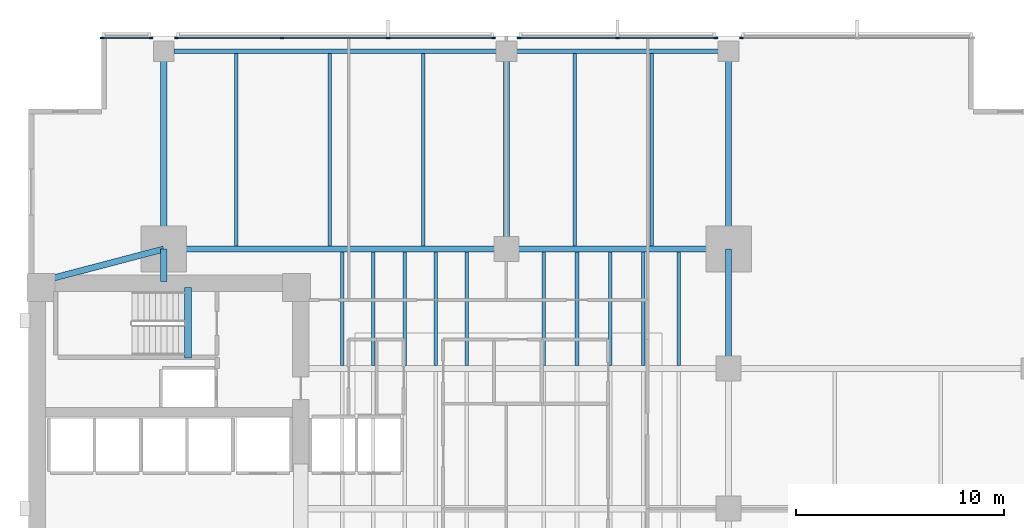
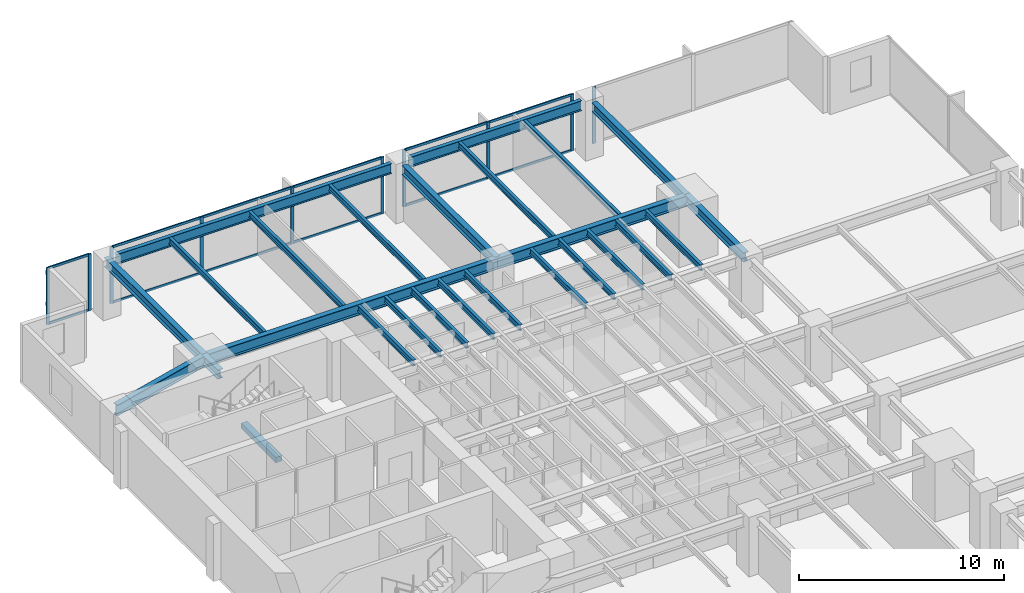
# One storey, part 5 of 15: 26 beams, 22 members, 4 elements without a shape of their own.
"""IFC4 building model written with IfcOpenShell, lengths in metres."""

from ifc_helpers import new_model, si_unit, direction, frame, origin, origin_2d, place, context, subcontext, project, spatial, rectangle, i_section, extrude, material, layer, layer_set, material_profile, profile_set, type_object, element, aggregate, save


model = new_model("IFC4")

# Units and contexts
model_context = context("Model", 3, precision=1e-05, world=origin(), true_north=direction((0.0, 1.0)))
body_context = subcontext(model_context, "Body", "Model", "MODEL_VIEW")
ifc_project = project(units=[si_unit("LENGTHUNIT", "METRE"), si_unit("AREAUNIT", "SQUARE_METRE"), si_unit("VOLUMEUNIT", "CUBIC_METRE"), si_unit("PLANEANGLEUNIT", "RADIAN"), si_unit("MASSUNIT", "GRAM", prefix="KILO")], contexts=[model_context])

# Site, building, storey
site_placement = place(None, origin())
site = spatial("IfcSite", under=ifc_project, at=site_placement, CompositionType="ELEMENT")
building_placement = place(site_placement, origin())
building = spatial("IfcBuilding", under=site, at=building_placement, Name="Kinhvarn Gate Tower", CompositionType="ELEMENT")
storey_placement = place(building_placement, frame((0.0, 0.0, 36.25)))
storey = spatial("IfcBuildingStorey", under=building, at=storey_placement, Name="L08", CompositionType="ELEMENT", Elevation=36.25)

# Beam
ifc_material_1 = material(Name="Concrete C50/60", Category="concrete")
ifc_material_profile_1 = material_profile(ifc_material_1, rectangle(XDim=0.340087890625, YDim=0.320068359375, at=origin_2d()), Name="RC 340x320")
ifc_profile_set_1 = profile_set([ifc_material_profile_1], Name="Concrete C50/60")
beam_type_1 = type_object("IfcBeamType", Name="BM-LND-500", PredefinedType="BEAM", material=ifc_profile_set_1)
beam_1_placement = place(storey_placement, frame((12.1650390625, 32.5, -0.159912109375), z_axis=(0.0, 1.0, 0.0), x_axis=(-1.0, 0.0, 0.0)))
element("IfcBeam", 1, at=beam_1_placement, inside=storey, type_object=beam_type_1, Name="Stair ST2 Landing Nosing Beam (L08)", PredefinedType="BEAM", context=body_context, shape_type="SweptSolid", body=[
    extrude(rectangle(XDim=0.340087890625, YDim=0.320068359375, at=origin_2d()), origin(), (0.0, 0.0, 1.0), 3.39990234375),
])

# Curtain wall, member
ifc_material_2 = material(Name="Anodised aluminium AW-6063", Category="aluminium")
ifc_layer = layer(ifc_material_2, 0.179931640625)
ifc_layer_set = layer_set([ifc_layer], Name="Anodised aluminium AW-6063")
curtain_wall_type = type_object("IfcCurtainWallType", Name="CW-SYS-2", PredefinedType="NOTDEFINED", material=ifc_layer_set)
curtain_wall_1_placement = place(storey_placement, origin())
curtain_wall_1 = element("IfcCurtainWall", 2, at=curtain_wall_1_placement, inside=storey, type_object=curtain_wall_type, Name="Curtain Wall CW2 (L08)", PredefinedType="NOTDEFINED")
ifc_material_profile_2 = material_profile(ifc_material_2, rectangle(XDim=0.070068359375, YDim=0.179931640625, at=origin_2d()), Name="ALU 70x180")
ifc_profile_set_2 = profile_set([ifc_material_profile_2], Name="Anodised aluminium AW-6063")
member_type_1 = type_object("IfcMemberType", Name="CW-MUL-180", PredefinedType="MULLION", material=ifc_profile_set_2)
member_1_placement = place(storey_placement, frame((38.81494140625, 47.909912109375, 0.0), z_axis=(0.0, 0.0, 1.0), x_axis=(0.0, -1.0, 0.0)))
member_1 = element("IfcMember", 3, at=member_1_placement, type_object=member_type_1, Name="CW2 mullion 3", PredefinedType="MULLION", context=body_context, shape_type="SweptSolid", body=[
    extrude(rectangle(XDim=0.070068359375, YDim=0.179931640625, at=origin_2d()), origin(), (0.0, 0.0, 1.0), 3.3701171875),
])
aggregate(curtain_wall_1, [member_1])

# Curtain wall, members
curtain_wall_2_placement = place(storey_placement, origin())
curtain_wall_2 = element("IfcCurtainWall", 4, at=curtain_wall_2_placement, inside=storey, type_object=curtain_wall_type, Name="Curtain Wall CW2 (L08)", PredefinedType="NOTDEFINED")
member_2_placement = place(storey_placement, frame((37.5849609375, 47.909912109375, 0.0), z_axis=(0.0, 0.0, 1.0), x_axis=(0.0, -1.0, 0.0)))
member_2 = element("IfcMember", 5, at=member_2_placement, type_object=member_type_1, Name="CW2 mullion 1", PredefinedType="MULLION", context=body_context, shape_type="SweptSolid", body=[
    extrude(rectangle(XDim=0.070068359375, YDim=0.179931640625, at=origin_2d()), origin(), (0.0, 0.0, 1.0), 3.3701171875),
])
member_3_placement = place(storey_placement, frame((32.85009765625, 47.909912109375, 0.0), z_axis=(0.0, 0.0, 1.0), x_axis=(0.0, -1.0, 0.0)))
member_3 = element("IfcMember", 6, at=member_3_placement, type_object=member_type_1, Name="CW2 mullion 2", PredefinedType="MULLION", context=body_context, shape_type="SweptSolid", body=[
    extrude(rectangle(XDim=0.070068359375, YDim=0.179931640625, at=origin_2d()), origin(), (0.0, 0.0, 1.0), 3.3701171875),
])
member_4_placement = place(storey_placement, frame((28.114990234375, 47.909912109375, 0.0), z_axis=(0.0, 0.0, 1.0), x_axis=(0.0, -1.0, 0.0)))
member_4 = element("IfcMember", 7, at=member_4_placement, type_object=member_type_1, Name="CW2 mullion 3", PredefinedType="MULLION", context=body_context, shape_type="SweptSolid", body=[
    extrude(rectangle(XDim=0.070068359375, YDim=0.179931640625, at=origin_2d()), origin(), (0.0, 0.0, 1.0), 3.3701171875),
])

curtain_wall_3_placement = place(storey_placement, origin())
curtain_wall_3 = element("IfcCurtainWall", 8, at=curtain_wall_3_placement, inside=storey, type_object=curtain_wall_type, Name="Curtain Wall CW2 (L08)", PredefinedType="NOTDEFINED")
member_5_placement = place(storey_placement, frame((26.885009765625, 47.909912109375, 0.0), z_axis=(0.0, 0.0, 1.0), x_axis=(0.0, -1.0, 0.0)))
member_5 = element("IfcMember", 9, at=member_5_placement, type_object=member_type_1, Name="CW2 mullion 1", PredefinedType="MULLION", context=body_context, shape_type="SweptSolid", body=[
    extrude(rectangle(XDim=0.070068359375, YDim=0.179931640625, at=origin_2d()), origin(), (0.0, 0.0, 1.0), 3.3701171875),
])
member_6_placement = place(storey_placement, frame((21.806640625, 47.909912109375, 0.0), z_axis=(0.0, 0.0, 1.0), x_axis=(0.0, -1.0, 0.0)))
member_6 = element("IfcMember", 10, at=member_6_placement, type_object=member_type_1, Name="CW2 mullion 2", PredefinedType="MULLION", context=body_context, shape_type="SweptSolid", body=[
    extrude(rectangle(XDim=0.070068359375, YDim=0.179931640625, at=origin_2d()), origin(), (0.0, 0.0, 1.0), 3.3701171875),
])
member_7_placement = place(storey_placement, frame((16.693359375, 47.909912109375, 0.0), z_axis=(0.0, 0.0, 1.0), x_axis=(0.0, -1.0, 0.0)))
member_7 = element("IfcMember", 11, at=member_7_placement, type_object=member_type_1, Name="CW2 mullion 3", PredefinedType="MULLION", context=body_context, shape_type="SweptSolid", body=[
    extrude(rectangle(XDim=0.070068359375, YDim=0.179931640625, at=origin_2d()), origin(), (0.0, 0.0, 1.0), 3.3701171875),
])
member_8_placement = place(storey_placement, frame((11.614990234375, 47.909912109375, 0.0), z_axis=(0.0, 0.0, 1.0), x_axis=(0.0, -1.0, 0.0)))
member_8 = element("IfcMember", 12, at=member_8_placement, type_object=member_type_1, Name="CW2 mullion 4", PredefinedType="MULLION", context=body_context, shape_type="SweptSolid", body=[
    extrude(rectangle(XDim=0.070068359375, YDim=0.179931640625, at=origin_2d()), origin(), (0.0, 0.0, 1.0), 3.3701171875),
])

curtain_wall_4_placement = place(storey_placement, origin())
curtain_wall_4 = element("IfcCurtainWall", 13, at=curtain_wall_4_placement, inside=storey, type_object=curtain_wall_type, Name="Curtain Wall CW2 (L08)", PredefinedType="NOTDEFINED")
member_9_placement = place(storey_placement, frame((10.385009765625, 47.909912109375, 0.0), z_axis=(0.0, 0.0, 1.0), x_axis=(0.0, -1.0, 0.0)))
member_9 = element("IfcMember", 14, at=member_9_placement, type_object=member_type_1, Name="CW2 mullion 1", PredefinedType="MULLION", context=body_context, shape_type="SweptSolid", body=[
    extrude(rectangle(XDim=0.070068359375, YDim=0.179931640625, at=origin_2d()), origin(), (0.0, 0.0, 1.0), 3.3701171875),
])
member_10_placement = place(storey_placement, frame((8.034912109375, 47.909912109375, 0.0), z_axis=(0.0, 0.0, 1.0), x_axis=(0.0, -1.0, 0.0)))
member_10 = element("IfcMember", 15, at=member_10_placement, type_object=member_type_1, Name="CW2 mullion 2", PredefinedType="MULLION", context=body_context, shape_type="SweptSolid", body=[
    extrude(rectangle(XDim=0.070068359375, YDim=0.179931640625, at=origin_2d()), origin(), (0.0, 0.0, 1.0), 3.3701171875),
])

# Member
ifc_material_profile_3 = material_profile(ifc_material_2, rectangle(XDim=0.070068359375, YDim=0.139892578125, at=origin_2d()), Name="ALU 70x140")
ifc_profile_set_3 = profile_set([ifc_material_profile_3], Name="Anodised aluminium AW-6063")
member_type_2 = type_object("IfcMemberType", Name="CW-TRN-140", PredefinedType="USERDEFINED", material=ifc_profile_set_3)
member_11_placement = place(storey_placement, frame((37.550048828125, 47.909912109375, 0.034912109375), z_axis=(-1.0, 0.0, 0.0), x_axis=(0.0, -1.0, 0.0)))
member_11 = element("IfcMember", 16, at=member_11_placement, type_object=member_type_2, Name="CW2 transom 1.1", ObjectType="TRANSOM", PredefinedType="USERDEFINED", context=body_context, shape_type="SweptSolid", body=[
    extrude(rectangle(XDim=0.070068359375, YDim=0.139892578125, at=origin_2d()), origin(), (0.0, 0.0, 1.0), 4.6650390625),
])

member_12_placement = place(storey_placement, frame((37.550048828125, 47.909912109375, 3.3349609375), z_axis=(-1.0, 0.0, 0.0), x_axis=(0.0, -1.0, 0.0)))
member_12 = element("IfcMember", 17, at=member_12_placement, type_object=member_type_2, Name="CW2 transom 1.2", ObjectType="TRANSOM", PredefinedType="USERDEFINED", context=body_context, shape_type="SweptSolid", body=[
    extrude(rectangle(XDim=0.070068359375, YDim=0.139892578125, at=origin_2d()), origin(), (0.0, 0.0, 1.0), 4.6650390625),
])

member_13_placement = place(storey_placement, frame((32.81494140625, 47.909912109375, 0.034912109375), z_axis=(-1.0, 0.0, 0.0), x_axis=(0.0, -1.0, 0.0)))
member_13 = element("IfcMember", 18, at=member_13_placement, type_object=member_type_2, Name="CW2 transom 2.1", ObjectType="TRANSOM", PredefinedType="USERDEFINED", context=body_context, shape_type="SweptSolid", body=[
    extrude(rectangle(XDim=0.070068359375, YDim=0.139892578125, at=origin_2d()), origin(), (0.0, 0.0, 1.0), 4.6650390625),
])

member_14_placement = place(storey_placement, frame((32.81494140625, 47.909912109375, 3.3349609375), z_axis=(-1.0, 0.0, 0.0), x_axis=(0.0, -1.0, 0.0)))
member_14 = element("IfcMember", 19, at=member_14_placement, type_object=member_type_2, Name="CW2 transom 2.2", ObjectType="TRANSOM", PredefinedType="USERDEFINED", context=body_context, shape_type="SweptSolid", body=[
    extrude(rectangle(XDim=0.070068359375, YDim=0.139892578125, at=origin_2d()), origin(), (0.0, 0.0, 1.0), 4.6650390625),
])

aggregate(curtain_wall_2, [member_2, member_3, member_4, member_11, member_12, member_13, member_14])

member_15_placement = place(storey_placement, frame((26.85009765625, 47.909912109375, 0.034912109375), z_axis=(-1.0, 0.0, 0.0), x_axis=(0.0, -1.0, 0.0)))
member_15 = element("IfcMember", 20, at=member_15_placement, type_object=member_type_2, Name="CW2 transom 1.1", ObjectType="TRANSOM", PredefinedType="USERDEFINED", context=body_context, shape_type="SweptSolid", body=[
    extrude(rectangle(XDim=0.070068359375, YDim=0.139892578125, at=origin_2d()), origin(), (0.0, 0.0, 1.0), 5.008544921875),
])

member_16_placement = place(storey_placement, frame((26.85009765625, 47.909912109375, 3.3349609375), z_axis=(-1.0, 0.0, 0.0), x_axis=(0.0, -1.0, 0.0)))
member_16 = element("IfcMember", 21, at=member_16_placement, type_object=member_type_2, Name="CW2 transom 1.2", ObjectType="TRANSOM", PredefinedType="USERDEFINED", context=body_context, shape_type="SweptSolid", body=[
    extrude(rectangle(XDim=0.070068359375, YDim=0.139892578125, at=origin_2d()), origin(), (0.0, 0.0, 1.0), 5.008544921875),
])

member_17_placement = place(storey_placement, frame((21.771728515625, 47.909912109375, 0.034912109375), z_axis=(-1.0, 0.0, 0.0), x_axis=(0.0, -1.0, 0.0)))
member_17 = element("IfcMember", 22, at=member_17_placement, type_object=member_type_2, Name="CW2 transom 2.1", ObjectType="TRANSOM", PredefinedType="USERDEFINED", context=body_context, shape_type="SweptSolid", body=[
    extrude(rectangle(XDim=0.070068359375, YDim=0.139892578125, at=origin_2d()), origin(), (0.0, 0.0, 1.0), 5.04345703125),
])

member_18_placement = place(storey_placement, frame((21.771728515625, 47.909912109375, 3.3349609375), z_axis=(-1.0, 0.0, 0.0), x_axis=(0.0, -1.0, 0.0)))
member_18 = element("IfcMember", 23, at=member_18_placement, type_object=member_type_2, Name="CW2 transom 2.2", ObjectType="TRANSOM", PredefinedType="USERDEFINED", context=body_context, shape_type="SweptSolid", body=[
    extrude(rectangle(XDim=0.070068359375, YDim=0.139892578125, at=origin_2d()), origin(), (0.0, 0.0, 1.0), 5.04345703125),
])

member_19_placement = place(storey_placement, frame((16.658447265625, 47.909912109375, 0.034912109375), z_axis=(-1.0, 0.0, 0.0), x_axis=(0.0, -1.0, 0.0)))
member_19 = element("IfcMember", 24, at=member_19_placement, type_object=member_type_2, Name="CW2 transom 3.1", ObjectType="TRANSOM", PredefinedType="USERDEFINED", context=body_context, shape_type="SweptSolid", body=[
    extrude(rectangle(XDim=0.070068359375, YDim=0.139892578125, at=origin_2d()), origin(), (0.0, 0.0, 1.0), 5.008544921875),
])

member_20_placement = place(storey_placement, frame((16.658447265625, 47.909912109375, 3.3349609375), z_axis=(-1.0, 0.0, 0.0), x_axis=(0.0, -1.0, 0.0)))
member_20 = element("IfcMember", 25, at=member_20_placement, type_object=member_type_2, Name="CW2 transom 3.2", ObjectType="TRANSOM", PredefinedType="USERDEFINED", context=body_context, shape_type="SweptSolid", body=[
    extrude(rectangle(XDim=0.070068359375, YDim=0.139892578125, at=origin_2d()), origin(), (0.0, 0.0, 1.0), 5.008544921875),
])

aggregate(curtain_wall_3, [member_5, member_6, member_7, member_8, member_15, member_16, member_17, member_18, member_19, member_20])

member_21_placement = place(storey_placement, frame((10.35009765625, 47.909912109375, 0.034912109375), z_axis=(-1.0, 0.0, 0.0), x_axis=(0.0, -1.0, 0.0)))
member_21 = element("IfcMember", 26, at=member_21_placement, type_object=member_type_2, Name="CW2 transom 1.1", ObjectType="TRANSOM", PredefinedType="USERDEFINED", context=body_context, shape_type="SweptSolid", body=[
    extrude(rectangle(XDim=0.070068359375, YDim=0.139892578125, at=origin_2d()), origin(), (0.0, 0.0, 1.0), 2.280029296875),
])

member_22_placement = place(storey_placement, frame((10.35009765625, 47.909912109375, 3.3349609375), z_axis=(-1.0, 0.0, 0.0), x_axis=(0.0, -1.0, 0.0)))
member_22 = element("IfcMember", 27, at=member_22_placement, type_object=member_type_2, Name="CW2 transom 1.2", ObjectType="TRANSOM", PredefinedType="USERDEFINED", context=body_context, shape_type="SweptSolid", body=[
    extrude(rectangle(XDim=0.070068359375, YDim=0.139892578125, at=origin_2d()), origin(), (0.0, 0.0, 1.0), 2.280029296875),
])

aggregate(curtain_wall_4, [member_9, member_10, member_21, member_22])

# Beams
ifc_material_3 = material(Name="Steel S355", Category="steel")
ifc_material_profile_4 = material_profile(ifc_material_3, i_section(OverallWidth=0.300048828125, OverallDepth=0.550048828125, WebThickness=0.014892578125, FlangeThickness=0.029052734375, at=origin_2d()), Name="HEB 550")
ifc_profile_set_4 = profile_set([ifc_material_profile_4], Name="Steel S355")
beam_type_2 = type_object("IfcBeamType", Name="STL-HEB550", PredefinedType="BEAM", material=ifc_profile_set_4)
beam_2_placement = place(storey_placement, frame((11.0, 36.199951171875, 3.094970703125), z_axis=(0.0, 1.0, 0.0), x_axis=(-1.0, 0.0, 0.0)))
element("IfcBeam", 28, at=beam_2_placement, inside=storey, type_object=beam_type_2, Name="Floor Beam PG-15 (L08 MCW-CN)", PredefinedType="BEAM", context=body_context, shape_type="SweptSolid", body=[
    extrude(i_section(OverallWidth=0.300048828125, OverallDepth=0.550048828125, WebThickness=0.014892578125, FlangeThickness=0.029052734375, at=origin_2d()), origin(), (0.0, 0.0, 1.0), 1.550048828125),
])
beam_3_placement = place(storey_placement, frame((11.0, 37.75, 3.094970703125), z_axis=(0.0, 1.0, 0.0), x_axis=(-1.0, 0.0, 0.0)))
element("IfcBeam", 29, at=beam_3_placement, inside=storey, type_object=beam_type_2, Name="Floor Beam PG-15 (L08 MCW-N)", PredefinedType="BEAM", context=body_context, shape_type="SweptSolid", body=[
    extrude(i_section(OverallWidth=0.300048828125, OverallDepth=0.550048828125, WebThickness=0.014892578125, FlangeThickness=0.029052734375, at=origin_2d()), origin(), (0.0, 0.0, 1.0), 9.530029296875),
])
for number, where, z_axis, x_axis, name in (
    (30, (27.5, 37.75, 3.094970703125), (0.0, 1.0, 0.0), (-1.0, 0.0, 0.0), "Floor Beam PG-15 (L08 SP27-N-TIE)"),
    (31, (38.199951171875, 37.75, 3.094970703125), (0.0, 1.0, 0.0), (-1.0, 0.0, 0.0), "Floor Beam PG-15 (L08 MCE-N)"),
):
    element("IfcBeam", number, at=place(storey_placement, frame(where, z_axis=z_axis, x_axis=x_axis)), inside=storey, type_object=beam_type_2, Name=name, PredefinedType="BEAM", context=body_context, shape_type="SweptSolid", body=[
        extrude(i_section(OverallWidth=0.300048828125, OverallDepth=0.550048828125, WebThickness=0.014892578125, FlangeThickness=0.029052734375, at=origin_2d()), origin(), (0.0, 0.0, 1.0), 9.044921875),
    ])
beam_4_placement = place(storey_placement, frame((38.199951171875, 32.0, 3.094970703125), z_axis=(0.0, 1.0, 0.0), x_axis=(-1.0, 0.0, 0.0)))
element("IfcBeam", 32, at=beam_4_placement, inside=storey, type_object=beam_type_2, Name="Floor Beam PG-15 (L08 MG-E-32)", PredefinedType="BEAM", context=body_context, shape_type="SweptSolid", body=[
    extrude(i_section(OverallWidth=0.300048828125, OverallDepth=0.550048828125, WebThickness=0.014892578125, FlangeThickness=0.029052734375, at=origin_2d()), origin(), (0.0, 0.0, 1.0), 5.75),
])
ifc_material_profile_5 = material_profile(ifc_material_3, i_section(OverallWidth=0.300048828125, OverallDepth=0.64990234375, WebThickness=0.01611328125, FlangeThickness=0.031005859375, at=origin_2d()), Name="HEB 650")
ifc_profile_set_5 = profile_set([ifc_material_profile_5], Name="Steel S355")
beam_type_3 = type_object("IfcBeamType", Name="STL-HEB650", PredefinedType="BEAM", material=ifc_profile_set_5)
beam_5_placement = place(storey_placement, frame((11.0, 37.75, 3.044921875), z_axis=(1.0, 0.0, 0.0), x_axis=(0.0, 1.0, 0.0)))
element("IfcBeam", 33, at=beam_5_placement, inside=storey, type_object=beam_type_3, Name="Floor Beam PG-17 (L08 MG-N1)", PredefinedType="BEAM", context=body_context, shape_type="SweptSolid", body=[
    extrude(i_section(OverallWidth=0.300048828125, OverallDepth=0.64990234375, WebThickness=0.01611328125, FlangeThickness=0.031005859375, at=origin_2d()), origin(), (0.0, 0.0, 1.0), 16.5),
])
beam_6_placement = place(storey_placement, frame((27.5, 37.75, 3.044921875), z_axis=(1.0, 0.0, 0.0), x_axis=(0.0, 1.0, 0.0)))
element("IfcBeam", 34, at=beam_6_placement, inside=storey, type_object=beam_type_3, Name="Floor Beam PG-17 (L08 MG-N2)", PredefinedType="BEAM", context=body_context, shape_type="SweptSolid", body=[
    extrude(i_section(OverallWidth=0.300048828125, OverallDepth=0.64990234375, WebThickness=0.01611328125, FlangeThickness=0.031005859375, at=origin_2d()), origin(), (0.0, 0.0, 1.0), 10.699951171875),
])
beam_7_placement = place(storey_placement, frame((5.10009765625, 36.199951171875, 3.044921875), z_axis=(0.967177623957, 0.254101246979, 0.0), x_axis=(-0.254101246979, 0.967177623957, 0.0)))
element("IfcBeam", 35, at=beam_7_placement, inside=storey, type_object=beam_type_3, Name="Floor Beam PG-17 (L08 MG-NW-DIAG)", PredefinedType="BEAM", context=body_context, shape_type="SweptSolid", body=[
    extrude(i_section(OverallWidth=0.300048828125, OverallDepth=0.64990234375, WebThickness=0.01611328125, FlangeThickness=0.031005859375, at=origin_2d()), origin(), (0.0, 0.0, 1.0), 6.10009765625),
])
ifc_material_profile_6 = material_profile(ifc_material_3, i_section(OverallWidth=0.169921875, OverallDepth=0.360107421875, WebThickness=0.008056640625, FlangeThickness=0.0126953125, at=origin_2d()), Name="IPE 360")
ifc_profile_set_6 = profile_set([ifc_material_profile_6], Name="Steel S355")
beam_type_4 = type_object("IfcBeamType", Name="STL-IPE360", PredefinedType="JOIST", material=ifc_profile_set_6)
for number, where, z_axis, x_axis, name in (
    (36, (19.60009765625, 32.14990234375, 3.18994140625), (0.0, 1.0, 0.0), (-1.0, 0.0, 0.0), "Floor Joist SB-04 (L08 JC-X196-3)"),
    (37, (21.10009765625, 32.14990234375, 3.18994140625), (0.0, 1.0, 0.0), (-1.0, 0.0, 0.0), "Floor Joist SB-04 (L08 JC-X211-3)"),
    (38, (22.60009765625, 32.14990234375, 3.18994140625), (0.0, 1.0, 0.0), (-1.0, 0.0, 0.0), "Floor Joist SB-04 (L08 JC-X226-3)"),
    (39, (24.10009765625, 32.14990234375, 3.18994140625), (0.0, 1.0, 0.0), (-1.0, 0.0, 0.0), "Floor Joist SB-04 (L08 JC-X241-3)"),
    (40, (25.60009765625, 32.14990234375, 3.18994140625), (0.0, 1.0, 0.0), (-1.0, 0.0, 0.0), "Floor Joist SB-04 (L08 JC-X256-3)"),
    (41, (29.300048828125, 32.14990234375, 3.18994140625), (0.0, 1.0, 0.0), (-1.0, 0.0, 0.0), "Floor Joist SB-04 (L08 JC-X293-3)"),
    (42, (30.89990234375, 32.14990234375, 3.18994140625), (0.0, 1.0, 0.0), (-1.0, 0.0, 0.0), "Floor Joist SB-04 (L08 JC-X309-3)"),
    (43, (32.5, 32.14990234375, 3.18994140625), (0.0, 1.0, 0.0), (-1.0, 0.0, 0.0), "Floor Joist SB-04 (L08 JC-X325-3)"),
    (44, (34.10009765625, 32.14990234375, 3.18994140625), (0.0, 1.0, 0.0), (-1.0, 0.0, 0.0), "Floor Joist SB-04 (L08 JC-X341-3)"),
    (45, (35.800048828125, 32.14990234375, 3.18994140625), (0.0, 1.0, 0.0), (-1.0, 0.0, 0.0), "Floor Joist SB-04 (L08 JC-X358-3)"),
):
    element("IfcBeam", number, at=place(storey_placement, frame(where, z_axis=z_axis, x_axis=x_axis)), inside=storey, type_object=beam_type_4, Name=name, PredefinedType="JOIST", context=body_context, shape_type="SweptSolid", body=[
        extrude(i_section(OverallWidth=0.169921875, OverallDepth=0.360107421875, WebThickness=0.008056640625, FlangeThickness=0.0126953125, at=origin_2d()), origin(), (0.0, 0.0, 1.0), 5.4501953125),
    ])
for number, where, z_axis, x_axis, name in (
    (46, (14.5, 37.89990234375, 3.18994140625), (0.0, 1.0, 0.0), (-1.0, 0.0, 0.0), "Floor Joist SB-04 (L08 JN-X145)"),
    (47, (19.0, 37.89990234375, 3.18994140625), (0.0, 1.0, 0.0), (-1.0, 0.0, 0.0), "Floor Joist SB-04 (L08 JN-X190)"),
    (48, (23.5, 37.89990234375, 3.18994140625), (0.0, 1.0, 0.0), (-1.0, 0.0, 0.0), "Floor Joist SB-04 (L08 JN-X235)"),
    (49, (30.800048828125, 37.89990234375, 3.18994140625), (0.0, 1.0, 0.0), (-1.0, 0.0, 0.0), "Floor Joist SB-04 (L08 JN-X308)"),
    (50, (34.5, 37.89990234375, 3.18994140625), (0.0, 1.0, 0.0), (-1.0, 0.0, 0.0), "Floor Joist SB-04 (L08 JN-X345)"),
):
    element("IfcBeam", number, at=place(storey_placement, frame(where, z_axis=z_axis, x_axis=x_axis)), inside=storey, type_object=beam_type_4, Name=name, PredefinedType="JOIST", context=body_context, shape_type="SweptSolid", body=[
        extrude(i_section(OverallWidth=0.169921875, OverallDepth=0.360107421875, WebThickness=0.008056640625, FlangeThickness=0.0126953125, at=origin_2d()), origin(), (0.0, 0.0, 1.0), 9.27001953125),
    ])
ifc_material_profile_7 = material_profile(ifc_material_3, i_section(OverallWidth=0.219970703125, OverallDepth=0.60009765625, WebThickness=0.011962890625, FlangeThickness=0.01904296875, at=origin_2d()), Name="IPE 600")
ifc_profile_set_7 = profile_set([ifc_material_profile_7], Name="Steel S355")
beam_type_5 = type_object("IfcBeamType", Name="STL-IPE600", PredefinedType="SPANDREL", material=ifc_profile_set_7)
beam_8_placement = place(storey_placement, frame((11.485107421875, 47.280029296875, 3.070068359375), z_axis=(1.0, 0.0, 0.0), x_axis=(0.0, 1.0, 0.0)))
element("IfcBeam", 51, at=beam_8_placement, inside=storey, type_object=beam_type_5, Name="Floor Spandrel SB-09 (L08 SP-N1)", PredefinedType="SPANDREL", context=body_context, shape_type="SweptSolid", body=[
    extrude(i_section(OverallWidth=0.219970703125, OverallDepth=0.60009765625, WebThickness=0.011962890625, FlangeThickness=0.01904296875, at=origin_2d()), origin(), (0.0, 0.0, 1.0), 15.52978515625),
])
beam_9_placement = place(storey_placement, frame((27.985107421875, 47.280029296875, 3.070068359375), z_axis=(1.0, 0.0, 0.0), x_axis=(0.0, 1.0, 0.0)))
element("IfcBeam", 52, at=beam_9_placement, inside=storey, type_object=beam_type_5, Name="Floor Spandrel SB-09 (L08 SP-N2)", PredefinedType="SPANDREL", context=body_context, shape_type="SweptSolid", body=[
    extrude(i_section(OverallWidth=0.219970703125, OverallDepth=0.60009765625, WebThickness=0.011962890625, FlangeThickness=0.01904296875, at=origin_2d()), origin(), (0.0, 0.0, 1.0), 9.72998046875),
])

save(model, "model.ifc")
